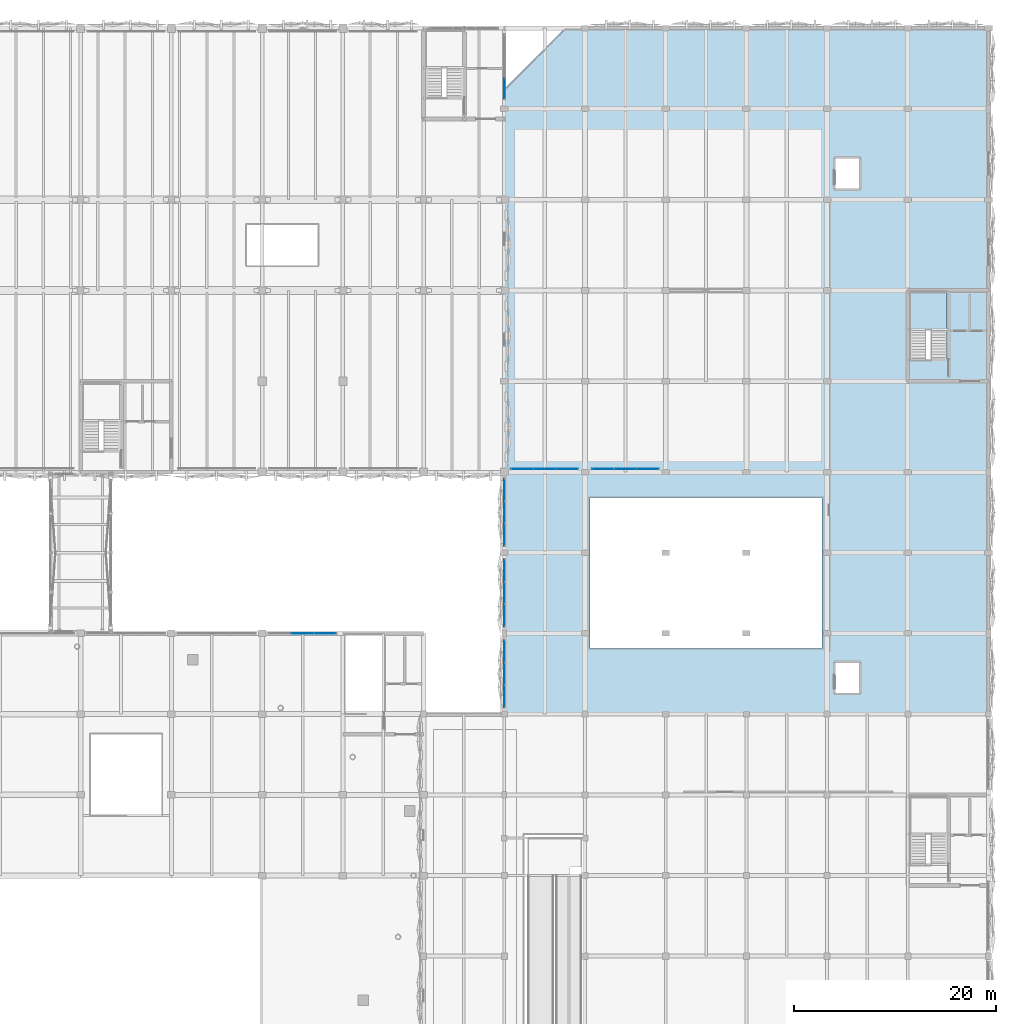
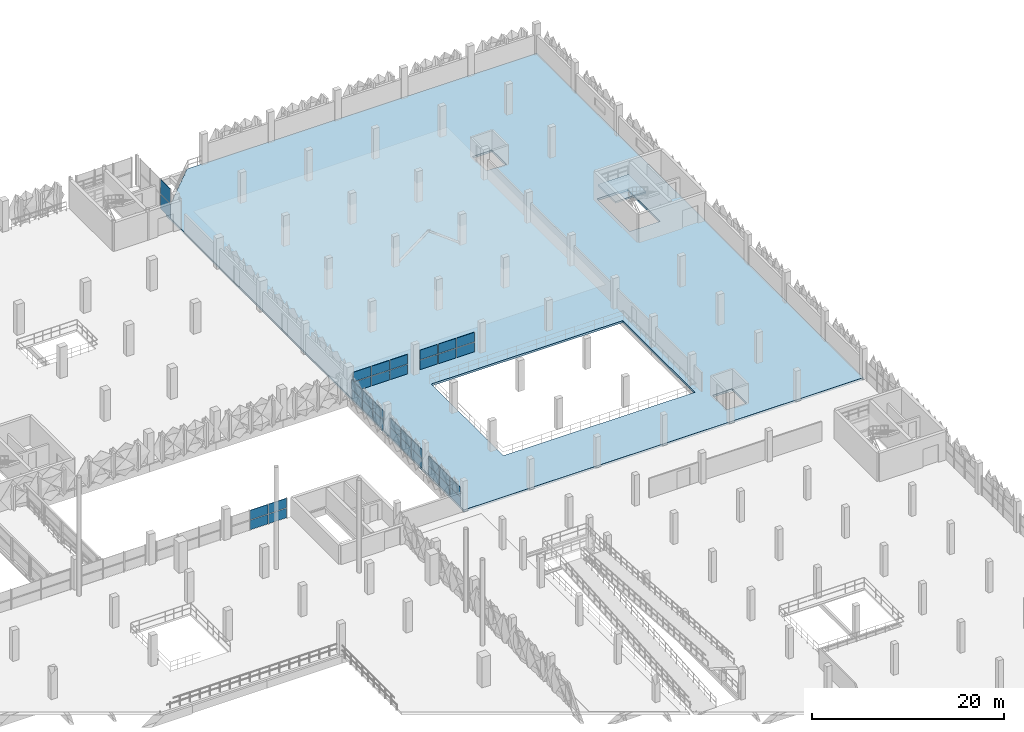
# One storey, part 65 of 123: 36 plates, 2 slabs, 8 elements without a shape of their own.
"""IFC4 building model written with IfcOpenShell, lengths in metres."""

import ifcopenshell
import ifcopenshell.guid

model = None  # the IFC model being written
_history = None  # IfcOwnerHistory: only IFC2X3 demands one
_inside = {}  # id of a spatial element -> (the spatial element, [elements in it])
_under = {}  # id of a project, library or spatial element -> (it, [spatial elements below it])
_declared = {}  # id of a project -> (the project, [libraries it declares])
_typed = {}  # id of a type object -> (the type object, [elements of that type])
_made_of = {}  # id of a material, layer set ... -> (it, [elements and type objects made of it])


def new_model(schema):
    """Start an empty IFC model of exactly this schema.

    Asked for "IFC4X3", IfcOpenShell would pick the latest addendum, in which some entities
    have other attributes; the version numbers below select the first issue.
    IFC2X3 requires an IfcOwnerHistory on every rooted entity: one is made here for all.
    """
    global model, _history
    if schema == "IFC4X3":
        model = ifcopenshell.file(schema_version=(4, 3, 0, 0))
    else:
        model = ifcopenshell.file(schema=schema)
    _inside.clear()
    _under.clear()
    _declared.clear()
    _typed.clear()
    _made_of.clear()
    _history = None
    if model.schema == "IFC2X3":
        org = make("IfcOrganization", Name="unknown")
        user = make(
            "IfcPersonAndOrganization",
            ThePerson=make("IfcPerson", FamilyName="unknown"),
            TheOrganization=org,
        )
        app = make(
            "IfcApplication",
            ApplicationDeveloper=org,
            Version="unknown",
            ApplicationFullName="unknown",
            ApplicationIdentifier="unknown",
        )
        _history = make(
            "IfcOwnerHistory",
            OwningUser=user,
            OwningApplication=app,
            ChangeAction="ADDED",
            CreationDate=0,
        )
    return model


def make(cls, **values):
    """One entity of the class cls with the attributes given. An attribute that is None is left unset."""
    return model.create_entity(
        cls, **{name: value for name, value in values.items() if value is not None}
    )


def rooted(cls, **values):
    """An entity with a GlobalId (a new one), such as an element, a storey or a relation."""
    return make(cls, GlobalId=ifcopenshell.guid.new(), OwnerHistory=_history, **values)


def si_unit(unit_type, name, prefix=None):
    """IfcSIUnit, for example si_unit("LENGTHUNIT", "METRE", prefix="MILLI")."""
    return make("IfcSIUnit", UnitType=unit_type, Prefix=prefix, Name=name)


def derived_unit(unit_type, elements):
    """IfcDerivedUnit: a product of units, each with its exponent."""
    return make(
        "IfcDerivedUnit",
        Elements=[
            make("IfcDerivedUnitElement", Unit=unit, Exponent=power)
            for unit, power in elements
        ],
        UnitType=unit_type,
    )


def assignment(units):
    """IfcUnitAssignment: the units of a project."""
    return None if units is None else make("IfcUnitAssignment", Units=units)


def point(xyz):
    """IfcCartesianPoint."""
    return None if xyz is None else make("IfcCartesianPoint", Coordinates=xyz)


def direction(xyz):
    """IfcDirection."""
    return None if xyz is None else make("IfcDirection", DirectionRatios=xyz)


def frame(location, z_axis=None, x_axis=None):
    """IfcAxis2Placement3D, a coordinate frame: its origin and axes. An axis left out is left unset."""
    return make(
        "IfcAxis2Placement3D",
        Location=point(location),
        Axis=direction(z_axis),
        RefDirection=direction(x_axis),
    )


def frame_2d(location, x_axis=None):
    """IfcAxis2Placement2D, a coordinate frame in the plane: its origin and x axis."""
    return make(
        "IfcAxis2Placement2D", Location=point(location), RefDirection=direction(x_axis)
    )


def origin():
    """The frame at (0, 0, 0) with its axes left unset."""
    return frame((0.0, 0.0, 0.0))


def origin_2d():
    """The frame at (0, 0) in the plane with its x axis left unset."""
    return frame_2d((0.0, 0.0))


def place(relative_to, where):
    """IfcLocalPlacement: puts the frame where relative to a parent placement (None: the world)."""
    return make(
        "IfcLocalPlacement", PlacementRelTo=relative_to, RelativePlacement=where
    )


def context(
    kind, dimensions, precision=None, world=None, true_north=None, identifier=None
):
    """IfcGeometricRepresentationContext, for example the 3D "Model" context."""
    return make(
        "IfcGeometricRepresentationContext",
        ContextIdentifier=identifier,
        ContextType=kind,
        CoordinateSpaceDimension=dimensions,
        Precision=precision,
        WorldCoordinateSystem=world,
        TrueNorth=true_north,
    )


def subcontext(parent, identifier, kind, view, scale=None):
    """IfcGeometricRepresentationSubContext, for example "Body" below "Model"."""
    return make(
        "IfcGeometricRepresentationSubContext",
        ContextIdentifier=identifier,
        ContextType=kind,
        ParentContext=parent,
        TargetScale=scale,
        TargetView=view,
    )


def project(units=None, contexts=None):
    """IfcProject with its units and contexts."""
    return rooted(
        "IfcProject",
        Name="project",
        RepresentationContexts=contexts,
        UnitsInContext=assignment(units),
    )


def spatial(cls, under=None, at=None, **own):
    """A site, building, storey or space (cls), placed at a placement, below another one or the project."""
    s = rooted(cls, ObjectPlacement=at, **own)
    if under is not None:
        _under.setdefault(under.id(), (under, []))[1].append(s)
    return s


def polyline(points):
    """IfcPolyline through the points."""
    return make("IfcPolyline", Points=[point(p) for p in points])


def profile(cls, at=None, kind="AREA", **sizes):
    """A parametric profile (cls). Its sizes go by their IFC names, for example OverallWidth=200.0."""
    return make(cls, ProfileType=kind, Position=at, **sizes)


def rectangle(**sizes):
    """IfcRectangleProfileDef."""
    return profile("IfcRectangleProfileDef", **sizes)


def outline(outer, holes=None, kind="AREA"):
    """IfcArbitraryClosedProfileDef: a profile drawn as a closed curve; with holes, ...WithVoids."""
    if holes is None:
        return make("IfcArbitraryClosedProfileDef", ProfileType=kind, OuterCurve=outer)
    return make(
        "IfcArbitraryProfileDefWithVoids",
        ProfileType=kind,
        OuterCurve=outer,
        InnerCurves=holes,
    )


def extrude(swept, where, along, depth):
    """IfcExtrudedAreaSolid: the profile swept, set in the frame where, extruded along a direction by depth."""
    return make(
        "IfcExtrudedAreaSolid",
        SweptArea=swept,
        Position=where,
        ExtrudedDirection=direction(along),
        Depth=depth,
    )


def shape(context_of_items, identifier, shape_type, items):
    """IfcShapeRepresentation: the items that make up one representation, for example the "Body"."""
    return make(
        "IfcShapeRepresentation",
        ContextOfItems=context_of_items,
        RepresentationIdentifier=identifier,
        RepresentationType=shape_type,
        Items=items,
    )


def material(Name=None, Category=None):
    """IfcMaterial."""
    return make("IfcMaterial", Name=Name, Category=Category)


def layer(
    of_material, thickness, ventilated=None, Name=None, Category=None, Priority=None
):
    """IfcMaterialLayer: one layer of a wall or slab, of a material (None: an air gap)."""
    return make(
        "IfcMaterialLayer",
        Material=of_material,
        LayerThickness=thickness,
        IsVentilated=ventilated,
        Name=Name,
        Category=Category,
        Priority=Priority,
    )


def layer_set(layers, Name=None):
    """IfcMaterialLayerSet."""
    return make("IfcMaterialLayerSet", MaterialLayers=layers, LayerSetName=Name)


def made_of(thing, what):
    """Note that an element or type object is made of a material, layer set ...; save() writes the relation."""
    if what is not None:
        _made_of.setdefault(what.id(), (what, []))[1].append(thing)
    return thing


def type_object(cls, material=None, **own):
    """A type object (cls), such as IfcWallType, which elements share."""
    return made_of(rooted(cls, **own), material)


def element(
    cls,
    number,
    at=None,
    inside=None,
    cuts=None,
    type_object=None,
    material=None,
    context=None,
    identifier="Body",
    shape_type=None,
    held_by="IfcProductDefinitionShape",
    body=None,
    shapes=None,
    **own,
):
    """One element of the class cls, such as IfcWall. Its Tag is "e" and its number.

    at: its placement. inside: the storey or other place that contains it. cuts: it is an
    opening in that element (IfcRelVoidsElement). A single representation is given by context,
    identifier, shape_type and body (its items); several are given by shapes. held_by: the class
    of the entity that holds the representations. save() writes the other relations.
    """
    e = rooted(cls, Tag="e%d" % number, ObjectPlacement=at, **own)
    if body is not None:
        shapes = [shape(context, identifier, shape_type, body)]
    if shapes is not None:
        e.Representation = make(held_by, Representations=shapes)
    if inside is not None:
        _inside.setdefault(inside.id(), (inside, []))[1].append(e)
    if cuts is not None:
        rooted(
            "IfcRelVoidsElement", RelatingBuildingElement=cuts, RelatedOpeningElement=e
        )
    if type_object is not None:
        _typed.setdefault(type_object.id(), (type_object, []))[1].append(e)
    return made_of(e, material)


def aggregate(whole, parts):
    """IfcRelAggregates: a whole, such as a stair, and the parts it consists of."""
    return rooted("IfcRelAggregates", RelatingObject=whole, RelatedObjects=parts)


def save(model, path):
    """Write the relations noted so far, then the file.

    IfcRelAggregates (storeys below a building ...), IfcRelContainedInSpatialStructure (elements
    in a storey), IfcRelDefinesByType, IfcRelAssociatesMaterial and IfcRelDeclares: one each for
    every whole, place, type object, material and project.
    """
    for whole, parts in _under.values():
        aggregate(whole, parts)
    for where, things in _inside.values():
        rooted(
            "IfcRelContainedInSpatialStructure",
            RelatedElements=things,
            RelatingStructure=where,
        )
    for kind, things in _typed.values():
        rooted("IfcRelDefinesByType", RelatedObjects=things, RelatingType=kind)
    for what, things in _made_of.values():
        rooted("IfcRelAssociatesMaterial", RelatedObjects=things, RelatingMaterial=what)
    for by, libraries in _declared.values():
        rooted("IfcRelDeclares", RelatingContext=by, RelatedDefinitions=libraries)
    model.write(path)


model = new_model("IFC4")

# Units and contexts
model_context = context("Model", 3, precision=1e-05, world=origin(), true_north=direction((0.0, 1.0)))
body_context = subcontext(model_context, "Body", "Model", "MODEL_VIEW")
ifc_project = project(units=[si_unit("LENGTHUNIT", "METRE"), si_unit("AREAUNIT", "SQUARE_METRE"), si_unit("VOLUMEUNIT", "CUBIC_METRE"), si_unit("PLANEANGLEUNIT", "RADIAN"), si_unit("MASSUNIT", "GRAM", prefix="KILO"), si_unit("THERMODYNAMICTEMPERATUREUNIT", "KELVIN"), derived_unit("THERMALTRANSMITTANCEUNIT", [(si_unit("POWERUNIT", "WATT"), 1), (si_unit("AREAUNIT", "SQUARE_METRE"), -1), (si_unit("THERMODYNAMICTEMPERATUREUNIT", "KELVIN"), -1)])], contexts=[model_context])

# Site, building, storey
site_placement = place(None, origin())
site = spatial("IfcSite", under=ifc_project, at=site_placement, CompositionType="ELEMENT")
building_placement = place(site_placement, origin())
building = spatial("IfcBuilding", under=site, at=building_placement, Name="Haiyu Intermodal Mobility Hub", CompositionType="ELEMENT")
storey_placement = place(building_placement, frame((0.0, 0.0, 5.60009765625)))
storey = spatial("IfcBuildingStorey", under=building, at=storey_placement, Name="L01", CompositionType="ELEMENT", Elevation=5.60009765625)

# Curtain wall, plates
ifc_material_1 = material(Name="Low-e laminated insulating glass", Category="glass")
ifc_layer_1 = layer(ifc_material_1, 0.2099609375)
ifc_layer_set_1 = layer_set([ifc_layer_1], Name="Low-e laminated insulating glass")
curtain_wall_type_1 = type_object("IfcCurtainWallType", Name="CW-CW04", PredefinedType="NOTDEFINED", material=ifc_layer_set_1)
curtain_wall_1_placement = place(storey_placement, origin())
curtain_wall_1 = element("IfcCurtainWall", 1, at=curtain_wall_1_placement, inside=storey, type_object=curtain_wall_type_1, Name="Curtain Wall CW-V6W-L01-143", PredefinedType="NOTDEFINED")
ifc_layer_2 = layer(ifc_material_1, 0.035888671875)
ifc_layer_set_2 = layer_set([ifc_layer_2], Name="Low-e laminated insulating glass")
plate_type_1 = type_object("IfcPlateType", Name="PLT-CP01", PredefinedType="CURTAIN_PANEL", material=ifc_layer_set_2)
plate_1_placement = place(storey_placement, frame((162.0, 86.22705078125, 0.034912109375), z_axis=(0.0, 0.0, 1.0), x_axis=(0.0, -1.0, 0.0)))
plate_1 = element("IfcPlate", 2, at=plate_1_placement, type_object=plate_type_1, Name="CW-V6W-L01-143-PN01", PredefinedType="CURTAIN_PANEL", context=body_context, shape_type="SweptSolid", body=[
    extrude(rectangle(XDim=2.136962890625, YDim=0.035888671875, at=origin_2d()), origin(), (0.0, 0.0, 1.0), 1.169921875),
])
plate_2_placement = place(storey_placement, frame((162.0, 84.0, 0.034912109375), z_axis=(0.0, 0.0, 1.0), x_axis=(0.0, -1.0, 0.0)))
plate_2 = element("IfcPlate", 3, at=plate_2_placement, type_object=plate_type_1, Name="CW-V6W-L01-143-PN03", PredefinedType="CURTAIN_PANEL", context=body_context, shape_type="SweptSolid", body=[
    extrude(rectangle(XDim=2.136962890625, YDim=0.035888671875, at=origin_2d()), origin(), (0.0, 0.0, 1.0), 1.169921875),
])
plate_3_placement = place(storey_placement, frame((162.0, 81.77294921875, 0.034912109375), z_axis=(0.0, 0.0, 1.0), x_axis=(0.0, -1.0, 0.0)))
plate_3 = element("IfcPlate", 4, at=plate_3_placement, type_object=plate_type_1, Name="CW-V6W-L01-143-PN05", PredefinedType="CURTAIN_PANEL", context=body_context, shape_type="SweptSolid", body=[
    extrude(rectangle(XDim=2.136962890625, YDim=0.035888671875, at=origin_2d()), origin(), (0.0, 0.0, 1.0), 1.169921875),
])

curtain_wall_2_placement = place(storey_placement, origin())
curtain_wall_2 = element("IfcCurtainWall", 5, at=curtain_wall_2_placement, inside=storey, type_object=curtain_wall_type_1, Name="Curtain Wall CW-V6W-L01-144", PredefinedType="NOTDEFINED")
plate_4_placement = place(storey_placement, frame((162.0, 94.22705078125, 0.034912109375), z_axis=(0.0, 0.0, 1.0), x_axis=(0.0, -1.0, 0.0)))
plate_4 = element("IfcPlate", 6, at=plate_4_placement, type_object=plate_type_1, Name="CW-V6W-L01-144-PN01", PredefinedType="CURTAIN_PANEL", context=body_context, shape_type="SweptSolid", body=[
    extrude(rectangle(XDim=2.136962890625, YDim=0.035888671875, at=origin_2d()), origin(), (0.0, 0.0, 1.0), 1.169921875),
])
plate_5_placement = place(storey_placement, frame((162.0, 92.0, 0.034912109375), z_axis=(0.0, 0.0, 1.0), x_axis=(0.0, -1.0, 0.0)))
plate_5 = element("IfcPlate", 7, at=plate_5_placement, type_object=plate_type_1, Name="CW-V6W-L01-144-PN03", PredefinedType="CURTAIN_PANEL", context=body_context, shape_type="SweptSolid", body=[
    extrude(rectangle(XDim=2.136962890625, YDim=0.035888671875, at=origin_2d()), origin(), (0.0, 0.0, 1.0), 1.169921875),
])
plate_6_placement = place(storey_placement, frame((162.0, 89.77294921875, 0.034912109375), z_axis=(0.0, 0.0, 1.0), x_axis=(0.0, -1.0, 0.0)))
plate_6 = element("IfcPlate", 8, at=plate_6_placement, type_object=plate_type_1, Name="CW-V6W-L01-144-PN05", PredefinedType="CURTAIN_PANEL", context=body_context, shape_type="SweptSolid", body=[
    extrude(rectangle(XDim=2.136962890625, YDim=0.035888671875, at=origin_2d()), origin(), (0.0, 0.0, 1.0), 1.169921875),
])

curtain_wall_3_placement = place(storey_placement, origin())
curtain_wall_3 = element("IfcCurtainWall", 9, at=curtain_wall_3_placement, inside=storey, type_object=curtain_wall_type_1, Name="Curtain Wall CW-V6W-L01-145", PredefinedType="NOTDEFINED")
plate_7_placement = place(storey_placement, frame((162.0, 102.22705078125, 0.034912109375), z_axis=(0.0, 0.0, 1.0), x_axis=(0.0, -1.0, 0.0)))
plate_7 = element("IfcPlate", 10, at=plate_7_placement, type_object=plate_type_1, Name="CW-V6W-L01-145-PN01", PredefinedType="CURTAIN_PANEL", context=body_context, shape_type="SweptSolid", body=[
    extrude(rectangle(XDim=2.136962890625, YDim=0.035888671875, at=origin_2d()), origin(), (0.0, 0.0, 1.0), 1.169921875),
])
plate_8_placement = place(storey_placement, frame((162.0, 100.0, 0.034912109375), z_axis=(0.0, 0.0, 1.0), x_axis=(0.0, -1.0, 0.0)))
plate_8 = element("IfcPlate", 11, at=plate_8_placement, type_object=plate_type_1, Name="CW-V6W-L01-145-PN03", PredefinedType="CURTAIN_PANEL", context=body_context, shape_type="SweptSolid", body=[
    extrude(rectangle(XDim=2.136962890625, YDim=0.035888671875, at=origin_2d()), origin(), (0.0, 0.0, 1.0), 1.169921875),
])
plate_9_placement = place(storey_placement, frame((162.0, 97.77294921875, 0.034912109375), z_axis=(0.0, 0.0, 1.0), x_axis=(0.0, -1.0, 0.0)))
plate_9 = element("IfcPlate", 12, at=plate_9_placement, type_object=plate_type_1, Name="CW-V6W-L01-145-PN05", PredefinedType="CURTAIN_PANEL", context=body_context, shape_type="SweptSolid", body=[
    extrude(rectangle(XDim=2.136962890625, YDim=0.035888671875, at=origin_2d()), origin(), (0.0, 0.0, 1.0), 1.169921875),
])

ifc_layer_3 = layer(ifc_material_1, 0.25)
ifc_layer_set_3 = layer_set([ifc_layer_3], Name="Low-e laminated insulating glass")
curtain_wall_type_2 = type_object("IfcCurtainWallType", Name="CW-CW02", PredefinedType="NOTDEFINED", material=ifc_layer_set_3)
curtain_wall_4_placement = place(storey_placement, origin())
curtain_wall_4 = element("IfcCurtainWall", 13, at=curtain_wall_4_placement, inside=storey, type_object=curtain_wall_type_2, Name="Curtain Wall CW-V1N-L01-032", PredefinedType="NOTDEFINED")
ifc_material_2 = material(Name="Anodised aluminium 6063-T6", Category="aluminium")
ifc_layer_4 = layer(ifc_material_2, 0.0419921875)
ifc_layer_set_4 = layer_set([ifc_layer_4], Name="Anodised aluminium 6063-T6")
plate_type_2 = type_object("IfcPlateType", Name="PLT-CP02", PredefinedType="CURTAIN_PANEL", material=ifc_layer_set_4)
plate_10_placement = place(storey_placement, frame((144.22705078125, 88.0, 0.035400390625), z_axis=(0.0, 0.0, 1.0), x_axis=(-1.0, 0.0, 0.0)))
plate_10 = element("IfcPlate", 14, at=plate_10_placement, type_object=plate_type_2, Name="CW-V1N-L01-032-PN01", PredefinedType="CURTAIN_PANEL", context=body_context, shape_type="SweptSolid", body=[
    extrude(rectangle(XDim=2.136962890625, YDim=0.0419921875, at=origin_2d()), origin(), (0.0, 0.0, 1.0), 1.205078125),
])
plate_11_placement = place(storey_placement, frame((142.0, 88.0, 0.035400390625), z_axis=(0.0, 0.0, 1.0), x_axis=(-1.0, 0.0, 0.0)))
plate_11 = element("IfcPlate", 15, at=plate_11_placement, type_object=plate_type_2, Name="CW-V1N-L01-032-PN03", PredefinedType="CURTAIN_PANEL", context=body_context, shape_type="SweptSolid", body=[
    extrude(rectangle(XDim=2.136962890625, YDim=0.0419921875, at=origin_2d()), origin(), (0.0, 0.0, 1.0), 1.205078125),
])

# Curtain wall, plate
ifc_layer_5 = layer(ifc_material_1, 0.199951171875)
ifc_layer_set_5 = layer_set([ifc_layer_5], Name="Low-e laminated insulating glass")
curtain_wall_type_3 = type_object("IfcCurtainWallType", Name="CW-CW03", PredefinedType="NOTDEFINED", material=ifc_layer_set_5)
curtain_wall_5_placement = place(storey_placement, origin())
curtain_wall_5 = element("IfcCurtainWall", 16, at=curtain_wall_5_placement, inside=storey, type_object=curtain_wall_type_3, Name="Curtain Wall CW-C4S-L01-066", PredefinedType="NOTDEFINED")
ifc_layer_6 = layer(ifc_material_1, 0.0400390625)
ifc_layer_set_6 = layer_set([ifc_layer_6], Name="Low-e laminated insulating glass")
plate_type_3 = type_object("IfcPlateType", Name="PLT-CP03", PredefinedType="CURTAIN_PANEL", material=ifc_layer_set_6)
plate_12_placement = place(storey_placement, frame((162.0, 142.048095703125, 0.03466796875), z_axis=(0.0, 0.0, 1.0), x_axis=(0.0, 1.0, 0.0)))
plate_12 = element("IfcPlate", 17, at=plate_12_placement, type_object=plate_type_3, Name="CW-C4S-L01-066-PN01", PredefinedType="CURTAIN_PANEL", context=body_context, shape_type="SweptSolid", body=[
    extrude(rectangle(XDim=2.027099609375, YDim=0.0400390625, at=origin_2d()), origin(), (0.0, 0.0, 1.0), 1.840087890625),
])

# Curtain wall, plates
ifc_layer_7 = layer(ifc_material_1, 0.179931640625)
ifc_layer_set_7 = layer_set([ifc_layer_7], Name="Low-e laminated insulating glass")
curtain_wall_type_4 = type_object("IfcCurtainWallType", Name="CW-CW06", PredefinedType="NOTDEFINED", material=ifc_layer_set_7)
curtain_wall_6_placement = place(storey_placement, origin())
curtain_wall_6 = element("IfcCurtainWall", 18, at=curtain_wall_6_placement, inside=storey, type_object=curtain_wall_type_4, Name="Curtain Wall CW-INT-03", PredefinedType="NOTDEFINED")
ifc_layer_8 = layer(ifc_material_1, 0.0400390625)
ifc_layer_set_8 = layer_set([ifc_layer_8], Name="Low-e laminated insulating glass")
plate_type_4 = type_object("IfcPlateType", Name="PLT-CP03-INT", PredefinedType="CURTAIN_PANEL", material=ifc_layer_set_8)
plate_13_placement = place(storey_placement, frame((163.79296875, 104.300048828125, 0.035400390625), z_axis=(0.0, 0.0, 1.0), x_axis=(1.0, 0.0, 0.0)))
plate_13 = element("IfcPlate", 19, at=plate_13_placement, type_object=plate_type_4, Name="CW-INT-03-PN01", PredefinedType="CURTAIN_PANEL", context=body_context, shape_type="SweptSolid", body=[
    extrude(rectangle(XDim=2.116943359375, YDim=0.0400390625, at=origin_2d()), origin(), (0.0, 0.0, 1.0), 1.205078125),
])
plate_14_placement = place(storey_placement, frame((163.79296875, 104.300048828125, 1.309326171875), z_axis=(0.0, 0.0, 1.0), x_axis=(1.0, 0.0, 0.0)))
plate_14 = element("IfcPlate", 20, at=plate_14_placement, type_object=plate_type_4, Name="CW-INT-03-PN02", PredefinedType="CURTAIN_PANEL", context=body_context, shape_type="SweptSolid", body=[
    extrude(rectangle(XDim=2.116943359375, YDim=0.0400390625, at=origin_2d()), origin(), (0.0, 0.0, 1.0), 1.205078125),
])
plate_15_placement = place(storey_placement, frame((166.0, 104.300048828125, 0.035400390625), z_axis=(0.0, 0.0, 1.0), x_axis=(1.0, 0.0, 0.0)))
plate_15 = element("IfcPlate", 21, at=plate_15_placement, type_object=plate_type_4, Name="CW-INT-03-PN03", PredefinedType="CURTAIN_PANEL", context=body_context, shape_type="SweptSolid", body=[
    extrude(rectangle(XDim=2.116943359375, YDim=0.0400390625, at=origin_2d()), origin(), (0.0, 0.0, 1.0), 1.205078125),
])
plate_16_placement = place(storey_placement, frame((166.0, 104.300048828125, 1.309326171875), z_axis=(0.0, 0.0, 1.0), x_axis=(1.0, 0.0, 0.0)))
plate_16 = element("IfcPlate", 22, at=plate_16_placement, type_object=plate_type_4, Name="CW-INT-03-PN04", PredefinedType="CURTAIN_PANEL", context=body_context, shape_type="SweptSolid", body=[
    extrude(rectangle(XDim=2.116943359375, YDim=0.0400390625, at=origin_2d()), origin(), (0.0, 0.0, 1.0), 1.205078125),
])
plate_17_placement = place(storey_placement, frame((168.20703125, 104.300048828125, 0.035400390625), z_axis=(0.0, 0.0, 1.0), x_axis=(1.0, 0.0, 0.0)))
plate_17 = element("IfcPlate", 23, at=plate_17_placement, type_object=plate_type_4, Name="CW-INT-03-PN05", PredefinedType="CURTAIN_PANEL", context=body_context, shape_type="SweptSolid", body=[
    extrude(rectangle(XDim=2.116943359375, YDim=0.0400390625, at=origin_2d()), origin(), (0.0, 0.0, 1.0), 1.205078125),
])
plate_18_placement = place(storey_placement, frame((168.20703125, 104.300048828125, 1.309326171875), z_axis=(0.0, 0.0, 1.0), x_axis=(1.0, 0.0, 0.0)))
plate_18 = element("IfcPlate", 24, at=plate_18_placement, type_object=plate_type_4, Name="CW-INT-03-PN06", PredefinedType="CURTAIN_PANEL", context=body_context, shape_type="SweptSolid", body=[
    extrude(rectangle(XDim=2.116943359375, YDim=0.0400390625, at=origin_2d()), origin(), (0.0, 0.0, 1.0), 1.205078125),
])
aggregate(curtain_wall_6, [plate_13, plate_14, plate_15, plate_16, plate_17, plate_18])

curtain_wall_7_placement = place(storey_placement, origin())
curtain_wall_7 = element("IfcCurtainWall", 25, at=curtain_wall_7_placement, inside=storey, type_object=curtain_wall_type_4, Name="Curtain Wall CW-INT-04", PredefinedType="NOTDEFINED")
plate_19_placement = place(storey_placement, frame((171.79296875, 104.300048828125, 0.035400390625), z_axis=(0.0, 0.0, 1.0), x_axis=(1.0, 0.0, 0.0)))
plate_19 = element("IfcPlate", 26, at=plate_19_placement, type_object=plate_type_4, Name="CW-INT-04-PN01", PredefinedType="CURTAIN_PANEL", context=body_context, shape_type="SweptSolid", body=[
    extrude(rectangle(XDim=2.116943359375, YDim=0.0400390625, at=origin_2d()), origin(), (0.0, 0.0, 1.0), 1.205078125),
])
plate_20_placement = place(storey_placement, frame((171.79296875, 104.300048828125, 1.309326171875), z_axis=(0.0, 0.0, 1.0), x_axis=(1.0, 0.0, 0.0)))
plate_20 = element("IfcPlate", 27, at=plate_20_placement, type_object=plate_type_4, Name="CW-INT-04-PN02", PredefinedType="CURTAIN_PANEL", context=body_context, shape_type="SweptSolid", body=[
    extrude(rectangle(XDim=2.116943359375, YDim=0.0400390625, at=origin_2d()), origin(), (0.0, 0.0, 1.0), 1.205078125),
])
plate_21_placement = place(storey_placement, frame((174.0, 104.300048828125, 0.035400390625), z_axis=(0.0, 0.0, 1.0), x_axis=(1.0, 0.0, 0.0)))
plate_21 = element("IfcPlate", 28, at=plate_21_placement, type_object=plate_type_4, Name="CW-INT-04-PN03", PredefinedType="CURTAIN_PANEL", context=body_context, shape_type="SweptSolid", body=[
    extrude(rectangle(XDim=2.116943359375, YDim=0.0400390625, at=origin_2d()), origin(), (0.0, 0.0, 1.0), 1.205078125),
])
plate_22_placement = place(storey_placement, frame((174.0, 104.300048828125, 1.309326171875), z_axis=(0.0, 0.0, 1.0), x_axis=(1.0, 0.0, 0.0)))
plate_22 = element("IfcPlate", 29, at=plate_22_placement, type_object=plate_type_4, Name="CW-INT-04-PN04", PredefinedType="CURTAIN_PANEL", context=body_context, shape_type="SweptSolid", body=[
    extrude(rectangle(XDim=2.116943359375, YDim=0.0400390625, at=origin_2d()), origin(), (0.0, 0.0, 1.0), 1.205078125),
])
plate_23_placement = place(storey_placement, frame((176.20703125, 104.300048828125, 0.035400390625), z_axis=(0.0, 0.0, 1.0), x_axis=(1.0, 0.0, 0.0)))
plate_23 = element("IfcPlate", 30, at=plate_23_placement, type_object=plate_type_4, Name="CW-INT-04-PN05", PredefinedType="CURTAIN_PANEL", context=body_context, shape_type="SweptSolid", body=[
    extrude(rectangle(XDim=2.116943359375, YDim=0.0400390625, at=origin_2d()), origin(), (0.0, 0.0, 1.0), 1.205078125),
])
plate_24_placement = place(storey_placement, frame((176.20703125, 104.300048828125, 1.309326171875), z_axis=(0.0, 0.0, 1.0), x_axis=(1.0, 0.0, 0.0)))
plate_24 = element("IfcPlate", 31, at=plate_24_placement, type_object=plate_type_4, Name="CW-INT-04-PN06", PredefinedType="CURTAIN_PANEL", context=body_context, shape_type="SweptSolid", body=[
    extrude(rectangle(XDim=2.116943359375, YDim=0.0400390625, at=origin_2d()), origin(), (0.0, 0.0, 1.0), 1.205078125),
])
aggregate(curtain_wall_7, [plate_19, plate_20, plate_21, plate_22, plate_23, plate_24])

# Plate
ifc_layer_9 = layer(ifc_material_1, 0.0439453125)
ifc_layer_set_9 = layer_set([ifc_layer_9], Name="Low-e laminated insulating glass")
plate_type_5 = type_object("IfcPlateType", Name="PLT-CP04", PredefinedType="CURTAIN_PANEL", material=ifc_layer_set_9)
plate_25_placement = place(storey_placement, frame((144.22705078125, 88.0, 1.309326171875), z_axis=(0.0, 0.0, 1.0), x_axis=(-1.0, 0.0, 0.0)))
plate_25 = element("IfcPlate", 32, at=plate_25_placement, type_object=plate_type_5, Name="CW-V1N-L01-032-PN02", PredefinedType="CURTAIN_PANEL", context=body_context, shape_type="SweptSolid", body=[
    extrude(rectangle(XDim=2.136962890625, YDim=0.0439453125, at=origin_2d()), origin(), (0.0, 0.0, 1.0), 1.205078125),
])

plate_26_placement = place(storey_placement, frame((142.0, 88.0, 1.309326171875), z_axis=(0.0, 0.0, 1.0), x_axis=(-1.0, 0.0, 0.0)))
plate_26 = element("IfcPlate", 33, at=plate_26_placement, type_object=plate_type_5, Name="CW-V1N-L01-032-PN04", PredefinedType="CURTAIN_PANEL", context=body_context, shape_type="SweptSolid", body=[
    extrude(rectangle(XDim=2.136962890625, YDim=0.0439453125, at=origin_2d()), origin(), (0.0, 0.0, 1.0), 1.205078125),
])

aggregate(curtain_wall_4, [plate_10, plate_25, plate_11, plate_26])

plate_27_placement = place(storey_placement, frame((162.0, 142.048095703125, 1.94482421875), z_axis=(0.0, 0.0, 1.0), x_axis=(0.0, 1.0, 0.0)))
plate_27 = element("IfcPlate", 34, at=plate_27_placement, type_object=plate_type_5, Name="CW-C4S-L01-066-PN02", PredefinedType="CURTAIN_PANEL", context=body_context, shape_type="SweptSolid", body=[
    extrude(rectangle(XDim=2.027099609375, YDim=0.0439453125, at=origin_2d()), origin(), (0.0, 0.0, 1.0), 1.840087890625),
])

aggregate(curtain_wall_5, [plate_12, plate_27])

plate_28_placement = place(storey_placement, frame((162.0, 86.22705078125, 1.27490234375), z_axis=(0.0, 0.0, 1.0), x_axis=(0.0, -1.0, 0.0)))
plate_28 = element("IfcPlate", 35, at=plate_28_placement, type_object=plate_type_5, Name="CW-V6W-L01-143-PN02", PredefinedType="CURTAIN_PANEL", context=body_context, shape_type="SweptSolid", body=[
    extrude(rectangle(XDim=2.136962890625, YDim=0.0439453125, at=origin_2d()), origin(), (0.0, 0.0, 1.0), 1.169921875),
])

plate_29_placement = place(storey_placement, frame((162.0, 84.0, 1.27490234375), z_axis=(0.0, 0.0, 1.0), x_axis=(0.0, -1.0, 0.0)))
plate_29 = element("IfcPlate", 36, at=plate_29_placement, type_object=plate_type_5, Name="CW-V6W-L01-143-PN04", PredefinedType="CURTAIN_PANEL", context=body_context, shape_type="SweptSolid", body=[
    extrude(rectangle(XDim=2.136962890625, YDim=0.0439453125, at=origin_2d()), origin(), (0.0, 0.0, 1.0), 1.169921875),
])

plate_30_placement = place(storey_placement, frame((162.0, 81.77294921875, 1.27490234375), z_axis=(0.0, 0.0, 1.0), x_axis=(0.0, -1.0, 0.0)))
plate_30 = element("IfcPlate", 37, at=plate_30_placement, type_object=plate_type_5, Name="CW-V6W-L01-143-PN06", PredefinedType="CURTAIN_PANEL", context=body_context, shape_type="SweptSolid", body=[
    extrude(rectangle(XDim=2.136962890625, YDim=0.0439453125, at=origin_2d()), origin(), (0.0, 0.0, 1.0), 1.169921875),
])

aggregate(curtain_wall_1, [plate_1, plate_28, plate_2, plate_29, plate_3, plate_30])

plate_31_placement = place(storey_placement, frame((162.0, 94.22705078125, 1.27490234375), z_axis=(0.0, 0.0, 1.0), x_axis=(0.0, -1.0, 0.0)))
plate_31 = element("IfcPlate", 38, at=plate_31_placement, type_object=plate_type_5, Name="CW-V6W-L01-144-PN02", PredefinedType="CURTAIN_PANEL", context=body_context, shape_type="SweptSolid", body=[
    extrude(rectangle(XDim=2.136962890625, YDim=0.0439453125, at=origin_2d()), origin(), (0.0, 0.0, 1.0), 1.169921875),
])

plate_32_placement = place(storey_placement, frame((162.0, 92.0, 1.27490234375), z_axis=(0.0, 0.0, 1.0), x_axis=(0.0, -1.0, 0.0)))
plate_32 = element("IfcPlate", 39, at=plate_32_placement, type_object=plate_type_5, Name="CW-V6W-L01-144-PN04", PredefinedType="CURTAIN_PANEL", context=body_context, shape_type="SweptSolid", body=[
    extrude(rectangle(XDim=2.136962890625, YDim=0.0439453125, at=origin_2d()), origin(), (0.0, 0.0, 1.0), 1.169921875),
])

plate_33_placement = place(storey_placement, frame((162.0, 89.77294921875, 1.27490234375), z_axis=(0.0, 0.0, 1.0), x_axis=(0.0, -1.0, 0.0)))
plate_33 = element("IfcPlate", 40, at=plate_33_placement, type_object=plate_type_5, Name="CW-V6W-L01-144-PN06", PredefinedType="CURTAIN_PANEL", context=body_context, shape_type="SweptSolid", body=[
    extrude(rectangle(XDim=2.136962890625, YDim=0.0439453125, at=origin_2d()), origin(), (0.0, 0.0, 1.0), 1.169921875),
])

aggregate(curtain_wall_2, [plate_4, plate_31, plate_5, plate_32, plate_6, plate_33])

plate_34_placement = place(storey_placement, frame((162.0, 102.22705078125, 1.27490234375), z_axis=(0.0, 0.0, 1.0), x_axis=(0.0, -1.0, 0.0)))
plate_34 = element("IfcPlate", 41, at=plate_34_placement, type_object=plate_type_5, Name="CW-V6W-L01-145-PN02", PredefinedType="CURTAIN_PANEL", context=body_context, shape_type="SweptSolid", body=[
    extrude(rectangle(XDim=2.136962890625, YDim=0.0439453125, at=origin_2d()), origin(), (0.0, 0.0, 1.0), 1.169921875),
])

plate_35_placement = place(storey_placement, frame((162.0, 100.0, 1.27490234375), z_axis=(0.0, 0.0, 1.0), x_axis=(0.0, -1.0, 0.0)))
plate_35 = element("IfcPlate", 42, at=plate_35_placement, type_object=plate_type_5, Name="CW-V6W-L01-145-PN04", PredefinedType="CURTAIN_PANEL", context=body_context, shape_type="SweptSolid", body=[
    extrude(rectangle(XDim=2.136962890625, YDim=0.0439453125, at=origin_2d()), origin(), (0.0, 0.0, 1.0), 1.169921875),
])

plate_36_placement = place(storey_placement, frame((162.0, 97.77294921875, 1.27490234375), z_axis=(0.0, 0.0, 1.0), x_axis=(0.0, -1.0, 0.0)))
plate_36 = element("IfcPlate", 43, at=plate_36_placement, type_object=plate_type_5, Name="CW-V6W-L01-145-PN06", PredefinedType="CURTAIN_PANEL", context=body_context, shape_type="SweptSolid", body=[
    extrude(rectangle(XDim=2.136962890625, YDim=0.0439453125, at=origin_2d()), origin(), (0.0, 0.0, 1.0), 1.169921875),
])

aggregate(curtain_wall_3, [plate_7, plate_34, plate_8, plate_35, plate_9, plate_36])

# Slab
ifc_material_3 = material(Name="Concrete C40", Category="concrete")
ifc_layer_10 = layer(ifc_material_3, 0.260009765625)
ifc_layer_set_10 = layer_set([ifc_layer_10], Name="Concrete C40")
slab_type_1 = type_object("IfcSlabType", Name="SLB-SL06", PredefinedType="FLOOR", material=ifc_layer_set_10)
slab_1_placement = place(storey_placement, frame((0.0, 0.0, -0.260009765625)))
element("IfcSlab", 44, at=slab_1_placement, inside=storey, type_object=slab_type_1, Name="L01 Service & Dispatch Wing Slab", PredefinedType="FLOOR", context=body_context, shape_type="SweptSolid", body=[
    extrude(outline(polyline([(162.02001953125, 80.02001953125), (210.0, 80.02001953125), (210.0, 148.0), (168.0, 148.0), (162.02001953125, 142.0), (162.02001953125, 80.02001953125)]), holes=[polyline([(202.219970703125, 115.14990234375), (205.85009765625, 115.14990234375), (205.85009765625, 121.949951171875), (202.219970703125, 121.949951171875), (202.219970703125, 115.14990234375)]), polyline([(194.81494140625, 82.114990234375), (197.18505859375, 82.114990234375), (197.18505859375, 85.0849609375), (194.81494140625, 85.0849609375), (194.81494140625, 82.114990234375)]), polyline([(194.81494140625, 132.114990234375), (197.18505859375, 132.114990234375), (197.18505859375, 135.0849609375), (194.81494140625, 135.0849609375), (194.81494140625, 132.114990234375)]), polyline([(170.5, 86.5), (193.5, 86.5), (193.5, 101.5), (170.5, 101.5), (170.5, 86.5)])]), origin(), (0.0, 0.0, 1.0), 0.260009765625),
])

# Stair, slab
stair_type = type_object("IfcStairType", Name="STR-ST02", PredefinedType="HALF_TURN_STAIR", material=ifc_material_3)
stair_placement = place(storey_placement, origin())
stair = element("IfcStair", 45, at=stair_placement, inside=storey, type_object=stair_type, Name="Exit Stair ST03 L01", PredefinedType="HALF_TURN_STAIR")
ifc_layer_11 = layer(ifc_material_3, 0.2099609375)
ifc_layer_set_11 = layer_set([ifc_layer_11], Name="Concrete C40")
slab_type_2 = type_object("IfcSlabType", Name="SLB-SL13", PredefinedType="LANDING", material=ifc_layer_set_11)
slab_2_placement = place(storey_placement, frame((0.0, 0.0, 1.739990234375)))
slab_2 = element("IfcSlab", 46, at=slab_2_placement, type_object=slab_type_2, Name="Stair Half-Landing STR-C10-L01-LND", PredefinedType="LANDING", context=body_context, shape_type="SweptSolid", body=[
    extrude(outline(polyline([(202.219970703125, 118.1298828125), (205.8701171875, 118.1298828125), (205.8701171875, 121.780029296875), (202.219970703125, 121.780029296875), (202.219970703125, 118.1298828125)])), origin(), (0.0, 0.0, 1.0), 0.2099609375),
])
aggregate(stair, [slab_2])

save(model, "model.ifc")
